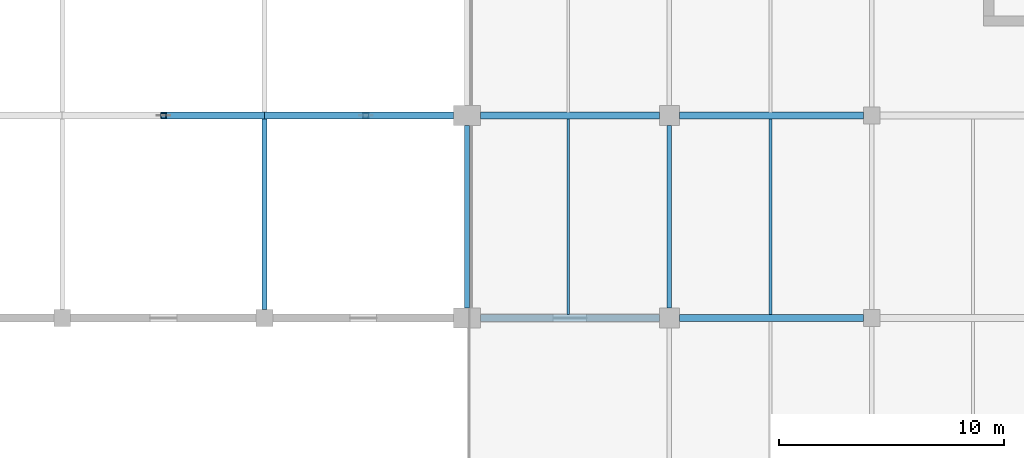
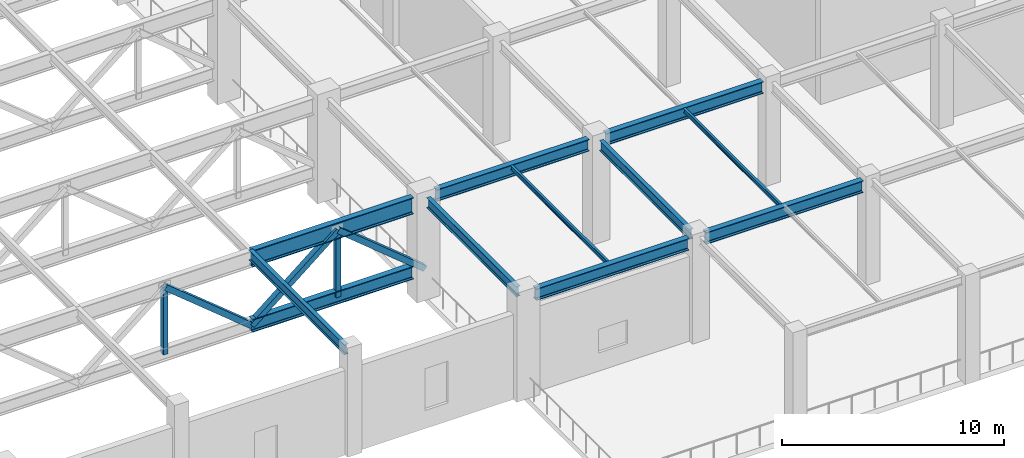
# One storey, part 13 of 223: 11 beams, 5 members.
"""IFC4 building model written with IfcOpenShell, lengths in metres."""

from ifc_helpers import new_model, si_unit, direction, frame, origin, origin_2d, place, context, subcontext, project, spatial, hollow_rectangle, i_section, extrude, material, material_profile, profile_set, type_object, element, save


model = new_model("IFC4")

# Units and contexts
model_context = context("Model", 3, precision=1e-05, world=origin(), true_north=direction((0.0, 1.0)))
body_context = subcontext(model_context, "Body", "Model", "MODEL_VIEW")
ifc_project = project(units=[si_unit("LENGTHUNIT", "METRE"), si_unit("AREAUNIT", "SQUARE_METRE"), si_unit("VOLUMEUNIT", "CUBIC_METRE"), si_unit("PLANEANGLEUNIT", "RADIAN"), si_unit("MASSUNIT", "GRAM", prefix="KILO")], contexts=[model_context])

# Site, building, storey
site_placement = place(None, origin())
site = spatial("IfcSite", under=ifc_project, at=site_placement, CompositionType="ELEMENT")
building_placement = place(site_placement, origin())
building = spatial("IfcBuilding", under=site, at=building_placement, Name="Dornveld Trade and Exhibition Forum", CompositionType="ELEMENT")
storey_placement = place(building_placement, frame((0.0, 0.0, 6.0)))
storey = spatial("IfcBuildingStorey", under=building, at=storey_placement, Name="L01", CompositionType="ELEMENT", Elevation=6.0)

# Beams
ifc_material_1 = material(Name="Steel S355J2", Category="steel")
ifc_material_profile_1 = material_profile(ifc_material_1, i_section(OverallWidth=0.300048828125, OverallDepth=0.64990234375, WebThickness=0.01611328125, FlangeThickness=0.031005859375, FilletRadius=0.027099609375, at=origin_2d()), Name="HEB 650")
ifc_profile_set_1 = profile_set([ifc_material_profile_1], Name="Steel S355J2")
beam_type_1 = type_object("IfcBeamType", Name="BM-GIR-HEB650", PredefinedType="USERDEFINED", material=ifc_profile_set_1)
beam_1_placement = place(storey_placement, frame((81.595947265625, 36.0, 5.31494140625), z_axis=(1.0, 0.0, 0.0), x_axis=(0.0, 1.0, 0.0)))
element("IfcBeam", 1, at=beam_1_placement, inside=storey, type_object=beam_type_1, Name="L01 X-girder 1150", ObjectType="GIRDER", PredefinedType="USERDEFINED", context=body_context, shape_type="SweptSolid", body=[
    extrude(i_section(OverallWidth=0.300048828125, OverallDepth=0.64990234375, WebThickness=0.01611328125, FlangeThickness=0.031005859375, FilletRadius=0.027099609375, at=origin_2d()), origin(), (0.0, 0.0, 1.0), 7.9580078125),
])
beam_2_placement = place(storey_placement, frame((90.446044921875, 36.0, 5.31494140625), z_axis=(1.0, 0.0, 0.0), x_axis=(0.0, 1.0, 0.0)))
element("IfcBeam", 2, at=beam_2_placement, inside=storey, type_object=beam_type_1, Name="L01 X-girder 1151", ObjectType="GIRDER", PredefinedType="USERDEFINED", context=body_context, shape_type="SweptSolid", body=[
    extrude(i_section(OverallWidth=0.300048828125, OverallDepth=0.64990234375, WebThickness=0.01611328125, FlangeThickness=0.031005859375, FilletRadius=0.027099609375, at=origin_2d()), origin(), (0.0, 0.0, 1.0), 8.182861328125),
])
beam_3_placement = place(storey_placement, frame((81.595947265625, 45.0, 5.31494140625), z_axis=(1.0, 0.0, 0.0), x_axis=(0.0, 1.0, 0.0)))
element("IfcBeam", 3, at=beam_3_placement, inside=storey, type_object=beam_type_1, Name="L01 X-girder 1158", ObjectType="GIRDER", PredefinedType="USERDEFINED", context=body_context, shape_type="SweptSolid", body=[
    extrude(i_section(OverallWidth=0.300048828125, OverallDepth=0.64990234375, WebThickness=0.01611328125, FlangeThickness=0.031005859375, FilletRadius=0.027099609375, at=origin_2d()), origin(), (0.0, 0.0, 1.0), 7.9580078125),
])
beam_4_placement = place(storey_placement, frame((90.446044921875, 45.0, 5.31494140625), z_axis=(1.0, 0.0, 0.0), x_axis=(0.0, 1.0, 0.0)))
element("IfcBeam", 4, at=beam_4_placement, inside=storey, type_object=beam_type_1, Name="L01 X-girder 1159", ObjectType="GIRDER", PredefinedType="USERDEFINED", context=body_context, shape_type="SweptSolid", body=[
    extrude(i_section(OverallWidth=0.300048828125, OverallDepth=0.64990234375, WebThickness=0.01611328125, FlangeThickness=0.031005859375, FilletRadius=0.027099609375, at=origin_2d()), origin(), (0.0, 0.0, 1.0), 8.182861328125),
])
ifc_material_2 = material(Name="Steel S355J2", Category="steel")
ifc_material_profile_2 = material_profile(ifc_material_2, i_section(OverallWidth=0.1201171875, OverallDepth=0.239990234375, WebThickness=0.006103515625, FlangeThickness=0.009765625, FilletRadius=0.014892578125, at=origin_2d()), Name="IPE 240")
ifc_profile_set_2 = profile_set([ifc_material_profile_2], Name="Steel S355J2")
beam_type_2 = type_object("IfcBeamType", Name="BM-JOIST-240", PredefinedType="JOIST", material=ifc_profile_set_2)
for number, where, z_axis, x_axis, name in (
    (5, (85.5, 36.14697265625, 5.52001953125), (0.0, 1.0, 0.0), (-1.0, 0.0, 0.0), "L01 secondary joist 1250"),
    (6, (94.5, 36.14697265625, 5.52001953125), (0.0, 1.0, 0.0), (-1.0, 0.0, 0.0), "L01 secondary joist 1258"),
):
    element("IfcBeam", number, at=place(storey_placement, frame(where, z_axis=z_axis, x_axis=x_axis)), inside=storey, type_object=beam_type_2, Name=name, PredefinedType="JOIST", context=body_context, shape_type="SweptSolid", body=[
        extrude(i_section(OverallWidth=0.1201171875, OverallDepth=0.239990234375, WebThickness=0.006103515625, FlangeThickness=0.009765625, FilletRadius=0.014892578125, at=origin_2d()), origin(), (0.0, 0.0, 1.0), 8.7060546875),
    ])
ifc_material_3 = material(Name="Steel S355J2", Category="steel")
ifc_material_profile_3 = material_profile(ifc_material_3, i_section(OverallWidth=0.2099609375, OverallDepth=0.550048828125, WebThickness=0.010986328125, FlangeThickness=0.01708984375, FilletRadius=0.02392578125, at=origin_2d()), Name="IPE 550")
ifc_profile_set_3 = profile_set([ifc_material_profile_3], Name="Steel S355J2")
beam_type_3 = type_object("IfcBeamType", Name="BM-SEC-550", PredefinedType="BEAM", material=ifc_profile_set_3)
for number, where, z_axis, x_axis, name in (
    (7, (81.0, 36.446044921875, 5.364990234375), (0.0, 1.0, 0.0), (-1.0, 0.0, 0.0), "L01 Y-girder 1198"),
    (8, (90.0, 36.446044921875, 5.364990234375), (0.0, 1.0, 0.0), (-1.0, 0.0, 0.0), "L01 Y-girder 1206"),
):
    element("IfcBeam", number, at=place(storey_placement, frame(where, z_axis=z_axis, x_axis=x_axis)), inside=storey, type_object=beam_type_3, Name=name, PredefinedType="BEAM", context=body_context, shape_type="SweptSolid", body=[
        extrude(i_section(OverallWidth=0.2099609375, OverallDepth=0.550048828125, WebThickness=0.010986328125, FlangeThickness=0.01708984375, FilletRadius=0.02392578125, at=origin_2d()), origin(), (0.0, 0.0, 1.0), 8.10791015625),
    ])
beam_5_placement = place(storey_placement, frame((72.0, 36.37109375, 5.364990234375), z_axis=(0.0, 1.0, 0.0), x_axis=(-1.0, 0.0, 0.0)))
element("IfcBeam", 9, at=beam_5_placement, inside=storey, type_object=beam_type_3, Name="Hall 3 secondary deck beam 1418", PredefinedType="BEAM", context=body_context, shape_type="SweptSolid", body=[
    extrude(i_section(OverallWidth=0.2099609375, OverallDepth=0.550048828125, WebThickness=0.010986328125, FlangeThickness=0.01708984375, FilletRadius=0.02392578125, at=origin_2d()), origin(), (0.0, 0.0, 1.0), 8.62890625),
])
ifc_material_4 = material(Name="Steel S355J2", Category="steel")
ifc_material_profile_4 = material_profile(ifc_material_4, i_section(OverallWidth=0.303955078125, OverallDepth=0.716064453125, WebThickness=0.02099609375, FlangeThickness=0.0400390625, FilletRadius=0.027099609375, at=origin_2d()), Name="HEM 700")
ifc_profile_set_4 = profile_set([ifc_material_profile_4], Name="Steel S355J2")
beam_type_4 = type_object("IfcBeamType", Name="BM-TG-BOT700", PredefinedType="USERDEFINED", material=ifc_profile_set_4)
beam_6_placement = place(storey_placement, frame((72.0, 45.0, 1.5), z_axis=(1.0, 0.0, 0.0), x_axis=(0.0, 1.0, 0.0)))
element("IfcBeam", 10, at=beam_6_placement, inside=storey, type_object=beam_type_4, Name="Hall 3 transfer truss 1 bottom chord 6", ObjectType="GIRDER", PredefinedType="USERDEFINED", context=body_context, shape_type="SweptSolid", body=[
    extrude(i_section(OverallWidth=0.303955078125, OverallDepth=0.716064453125, WebThickness=0.02099609375, FlangeThickness=0.0400390625, FilletRadius=0.027099609375, at=origin_2d()), origin(), (0.0, 0.0, 1.0), 8.404052734375),
])
ifc_material_5 = material(Name="Steel S355J2", Category="steel")
ifc_material_profile_5 = material_profile(ifc_material_5, i_section(OverallWidth=0.302001953125, OverallDepth=0.909912109375, WebThickness=0.02099609375, FlangeThickness=0.0400390625, FilletRadius=0.030029296875, at=origin_2d()), Name="HEM 900")
ifc_profile_set_5 = profile_set([ifc_material_profile_5], Name="Steel S355J2")
beam_type_5 = type_object("IfcBeamType", Name="BM-TG-TOP900", PredefinedType="USERDEFINED", material=ifc_profile_set_5)
beam_7_placement = place(storey_placement, frame((72.0, 45.0, 5.18505859375), z_axis=(1.0, 0.0, 0.0), x_axis=(0.0, 1.0, 0.0)))
element("IfcBeam", 11, at=beam_7_placement, inside=storey, type_object=beam_type_5, Name="Hall 3 transfer truss 1 top chord 6", ObjectType="GIRDER", PredefinedType="USERDEFINED", context=body_context, shape_type="SweptSolid", body=[
    extrude(i_section(OverallWidth=0.302001953125, OverallDepth=0.909912109375, WebThickness=0.02099609375, FlangeThickness=0.0400390625, FilletRadius=0.030029296875, at=origin_2d()), origin(), (0.0, 0.0, 1.0), 8.404052734375),
])

# Members
ifc_material_6 = material(Name="Steel S355J2", Category="steel")
ifc_material_profile_6 = material_profile(ifc_material_6, hollow_rectangle(XDim=0.25, YDim=0.25, WallThickness=0.012451171875, at=origin_2d()), Name="SHS 250x250x12.5")
ifc_profile_set_6 = profile_set([ifc_material_profile_6], Name="Steel S355J2")
member_type_1 = type_object("IfcMemberType", Name="MEM-XFER-STR", PredefinedType="STRUT", material=ifc_profile_set_6)
for number, where, z_axis, x_axis, name in (
    (12, (67.5, 45.0, 1.5), (0.0, 0.0, 1.0), (1.0, 0.0, 0.0), "Transfer truss 1 strut 15"),
    (13, (76.5, 45.0, 1.5), (0.0, 0.0, 1.0), (1.0, 0.0, 0.0), "Transfer truss 1 strut 18"),
):
    element("IfcMember", number, at=place(storey_placement, frame(where, z_axis=z_axis, x_axis=x_axis)), inside=storey, type_object=member_type_1, Name=name, PredefinedType="STRUT", context=body_context, shape_type="SweptSolid", body=[
        extrude(hollow_rectangle(XDim=0.25, YDim=0.25, WallThickness=0.012451171875, at=origin_2d()), origin(), (0.0, 0.0, 1.0), 3.68505859375),
    ])
ifc_material_7 = material(Name="Steel S355J2", Category="steel")
ifc_material_profile_7 = material_profile(ifc_material_7, hollow_rectangle(XDim=0.300048828125, YDim=0.300048828125, WallThickness=0.01611328125, at=origin_2d()), Name="SHS 300x300x16")
ifc_profile_set_7 = profile_set([ifc_material_profile_7], Name="Steel S355J2")
member_type_2 = type_object("IfcMemberType", Name="MEM-XFER-WEB", PredefinedType="BRACE", material=ifc_profile_set_7)
for number, where, z_axis, x_axis, name in (
    (14, (72.0, 45.0, 1.5), (-0.773684181611, 0.0, 0.633571453843), (0.0, -1.0, 0.0), "Transfer truss 1 web 14"),
    (15, (72.0, 45.0, 1.5), (0.773684181611, 0.0, 0.633571453843), (0.0, 1.0, 0.0), "Transfer truss 1 web 16"),
    (16, (81.0, 45.0, 1.5), (-0.773684181611, 0.0, 0.633571453843), (0.0, -1.0, 0.0), "Transfer truss 1 web 17"),
):
    element("IfcMember", number, at=place(storey_placement, frame(where, z_axis=z_axis, x_axis=x_axis)), inside=storey, type_object=member_type_2, Name=name, PredefinedType="BRACE", context=body_context, shape_type="SweptSolid", body=[
        extrude(hollow_rectangle(XDim=0.300048828125, YDim=0.300048828125, WallThickness=0.01611328125, at=origin_2d()), origin(), (0.0, 0.0, 1.0), 5.81640625),
    ])

save(model, "model.ifc")
